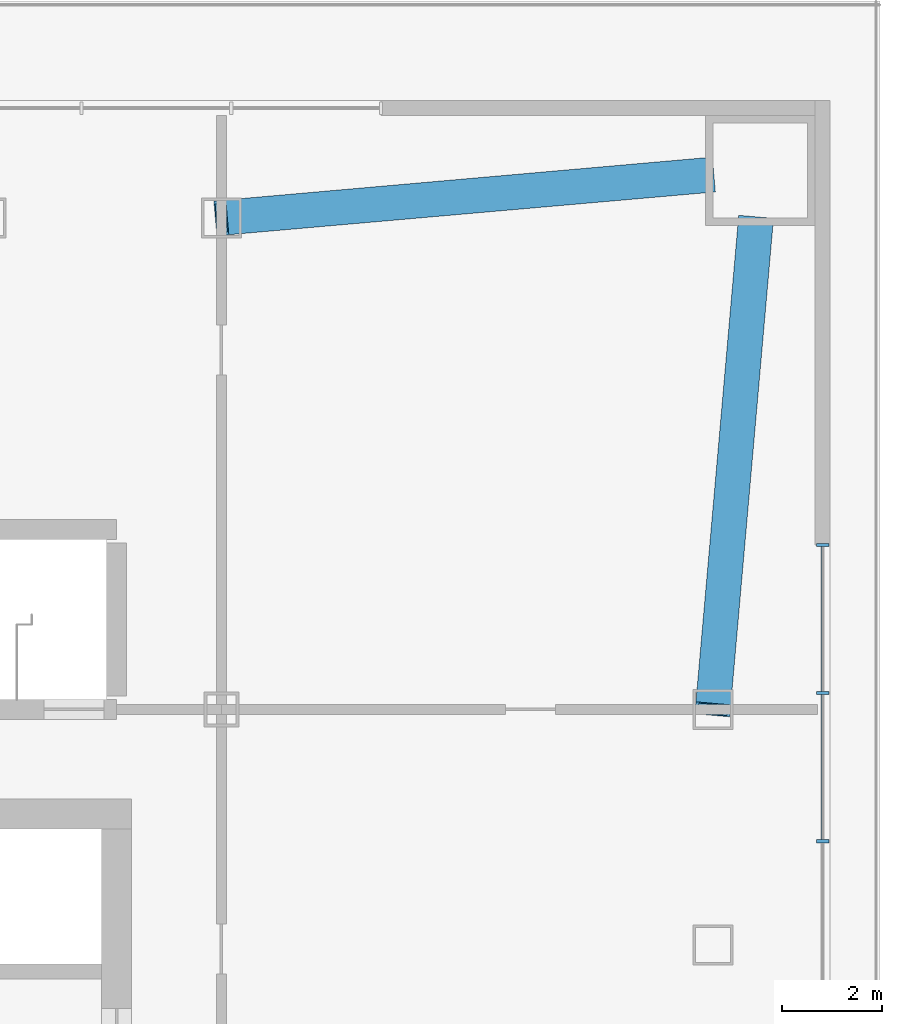
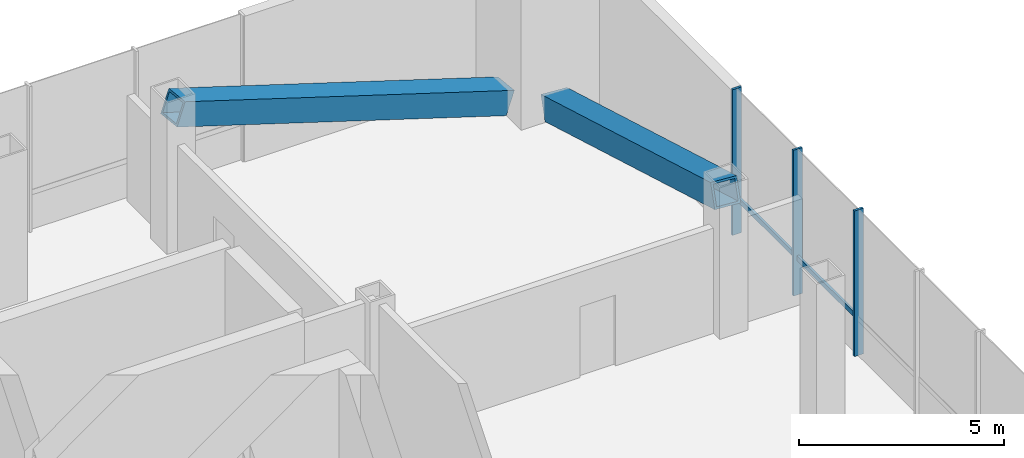
# One storey, part 5 of 15: 7 members, 1 element without a shape of its own.
"""IFC4 building model written with IfcOpenShell, lengths in metres."""

from ifc_helpers import new_model, si_unit, direction, frame, origin, origin_2d, place, context, subcontext, project, spatial, rectangle, hollow_rectangle, extrude, material, material_profile, profile_set, type_object, element, aggregate, save


model = new_model("IFC4")

# Units and contexts
model_context = context("Model", 3, precision=1e-05, world=origin(), true_north=direction((0.0, 1.0)))
body_context = subcontext(model_context, "Body", "Model", "MODEL_VIEW")
ifc_project = project(units=[si_unit("LENGTHUNIT", "METRE"), si_unit("AREAUNIT", "SQUARE_METRE"), si_unit("VOLUMEUNIT", "CUBIC_METRE"), si_unit("PLANEANGLEUNIT", "RADIAN"), si_unit("MASSUNIT", "GRAM", prefix="KILO")], contexts=[model_context])

# Site, building, storey
site_placement = place(None, origin())
site = spatial("IfcSite", under=ifc_project, at=site_placement, CompositionType="ELEMENT")
building_placement = place(site_placement, origin())
building = spatial("IfcBuilding", under=site, at=building_placement, Name="Turquesa Mirador Hotel Tower", CompositionType="ELEMENT")
storey_placement = place(building_placement, frame((0.0, 0.0, 20.5)))
storey = spatial("IfcBuildingStorey", under=building, at=storey_placement, Name="L04", CompositionType="ELEMENT", Elevation=20.5)

# Curtain wall, members
ifc_material_1 = material(Name="Aluminium extrusion", Category="aluminium")
curtain_wall_type = type_object("IfcCurtainWallType", Name="CW-3 PODIUM UPPER CURTAIN WALL", PredefinedType="USERDEFINED", material=ifc_material_1)
curtain_wall_placement = place(storey_placement, origin())
curtain_wall = element("IfcCurtainWall", 1, at=curtain_wall_placement, inside=storey, type_object=curtain_wall_type, Name="CW-3 PODIUM UPPER CURTAIN WALL L04", ObjectType="CURTAIN WALL", PredefinedType="USERDEFINED")
ifc_material_2 = material(Name="Aluminium extrusion", Category="aluminium")
ifc_material_profile_1 = material_profile(ifc_material_2, rectangle(XDim=0.06494140625, YDim=0.25, at=origin_2d()), Name="MULLION 65X250")
ifc_profile_set_1 = profile_set([ifc_material_profile_1], Name="Aluminium extrusion")
member_type_1 = type_object("IfcMemberType", Name="CW MULLION 65X250", PredefinedType="MULLION", material=ifc_profile_set_1)
member_1_placement = place(storey_placement, frame((78.85009765625, 54.15625, 0.0), z_axis=(0.0, 0.0, 1.0), x_axis=(0.0, 1.0, 0.0)))
member_1 = element("IfcMember", 2, at=member_1_placement, type_object=member_type_1, Name="Mullion", PredefinedType="MULLION", context=body_context, shape_type="SweptSolid", body=[
    extrude(rectangle(XDim=0.06494140625, YDim=0.25, at=origin_2d()), origin(), (0.0, 0.0, 1.0), 4.330078125),
])
member_2_placement = place(storey_placement, frame((78.85009765625, 57.125, 0.0), z_axis=(0.0, 0.0, 1.0), x_axis=(0.0, 1.0, 0.0)))
member_2 = element("IfcMember", 3, at=member_2_placement, type_object=member_type_1, Name="Mullion", PredefinedType="MULLION", context=body_context, shape_type="SweptSolid", body=[
    extrude(rectangle(XDim=0.06494140625, YDim=0.25, at=origin_2d()), origin(), (0.0, 0.0, 1.0), 4.330078125),
])
member_3_placement = place(storey_placement, frame((78.85009765625, 60.09375, 0.0), z_axis=(0.0, 0.0, 1.0), x_axis=(0.0, 1.0, 0.0)))
member_3 = element("IfcMember", 4, at=member_3_placement, type_object=member_type_1, Name="Mullion", PredefinedType="MULLION", context=body_context, shape_type="SweptSolid", body=[
    extrude(rectangle(XDim=0.06494140625, YDim=0.25, at=origin_2d()), origin(), (0.0, 0.0, 1.0), 4.330078125),
])
ifc_material_3 = material(Name="Aluminium extrusion", Category="aluminium")
ifc_material_profile_2 = material_profile(ifc_material_3, rectangle(XDim=0.06494140625, YDim=0.14990234375, at=origin_2d()), Name="TRANSOM 65X150")
ifc_profile_set_2 = profile_set([ifc_material_profile_2], Name="Aluminium extrusion")
member_type_2 = type_object("IfcMemberType", Name="CW TRANSOM 65X150", PredefinedType="USERDEFINED", material=ifc_profile_set_2)
member_4_placement = place(storey_placement, frame((78.85009765625, 54.188720703125, 1.10009765625), z_axis=(0.0, 1.0, 0.0), x_axis=(-1.0, 0.0, 0.0)))
member_4 = element("IfcMember", 5, at=member_4_placement, type_object=member_type_2, Name="Transom", ObjectType="TRANSOM", PredefinedType="USERDEFINED", context=body_context, shape_type="SweptSolid", body=[
    extrude(rectangle(XDim=0.06494140625, YDim=0.14990234375, at=origin_2d()), origin(), (0.0, 0.0, 1.0), 2.90380859375),
])
member_5_placement = place(storey_placement, frame((78.85009765625, 57.157470703125, 1.10009765625), z_axis=(0.0, 1.0, 0.0), x_axis=(-1.0, 0.0, 0.0)))
member_5 = element("IfcMember", 6, at=member_5_placement, type_object=member_type_2, Name="Transom", ObjectType="TRANSOM", PredefinedType="USERDEFINED", context=body_context, shape_type="SweptSolid", body=[
    extrude(rectangle(XDim=0.06494140625, YDim=0.14990234375, at=origin_2d()), origin(), (0.0, 0.0, 1.0), 2.90380859375),
])
aggregate(curtain_wall, [member_1, member_2, member_3, member_4, member_5])

# Members
ifc_material_4 = material(Name="Steel ASTM A572 Grade 50", Category="steel")
ifc_material_profile_3 = material_profile(ifc_material_4, hollow_rectangle(XDim=0.699951171875, YDim=0.699951171875, WallThickness=0.06005859375, at=origin_2d()), Name="BOX700X700X60")
ifc_profile_set_3 = profile_set([ifc_material_profile_3], Name="Steel ASTM A572 Grade 50")
member_type_3 = type_object("IfcMemberType", Name="PODIUM BRACE BOX700X700X60", PredefinedType="BRACE", material=ifc_profile_set_3)
for number, where, z_axis, x_axis, name in (
    (7, (76.550048828125, 67.507568359375, 0.386962890625), (-0.935134607955, -0.082259812644, 0.344610777876), (0.087627369437, -0.996153323603, 0.0), "Podium brace N"),
    (8, (77.507568359375, 66.550048828125, 0.386962890625), (-0.082259812644, -0.935134607955, 0.344610777876), (0.996153323603, -0.087627369437, 0.0), "Podium brace E"),
):
    element("IfcMember", number, at=place(storey_placement, frame(where, z_axis=z_axis, x_axis=x_axis)), inside=storey, type_object=member_type_3, Name=name, PredefinedType="BRACE", context=body_context, shape_type="SweptSolid", body=[
        extrude(hollow_rectangle(XDim=0.699951171875, YDim=0.699951171875, WallThickness=0.06005859375, at=origin_2d()), origin(), (0.0, 0.0, 1.0), 10.42626953125),
    ])

save(model, "model.ifc")
